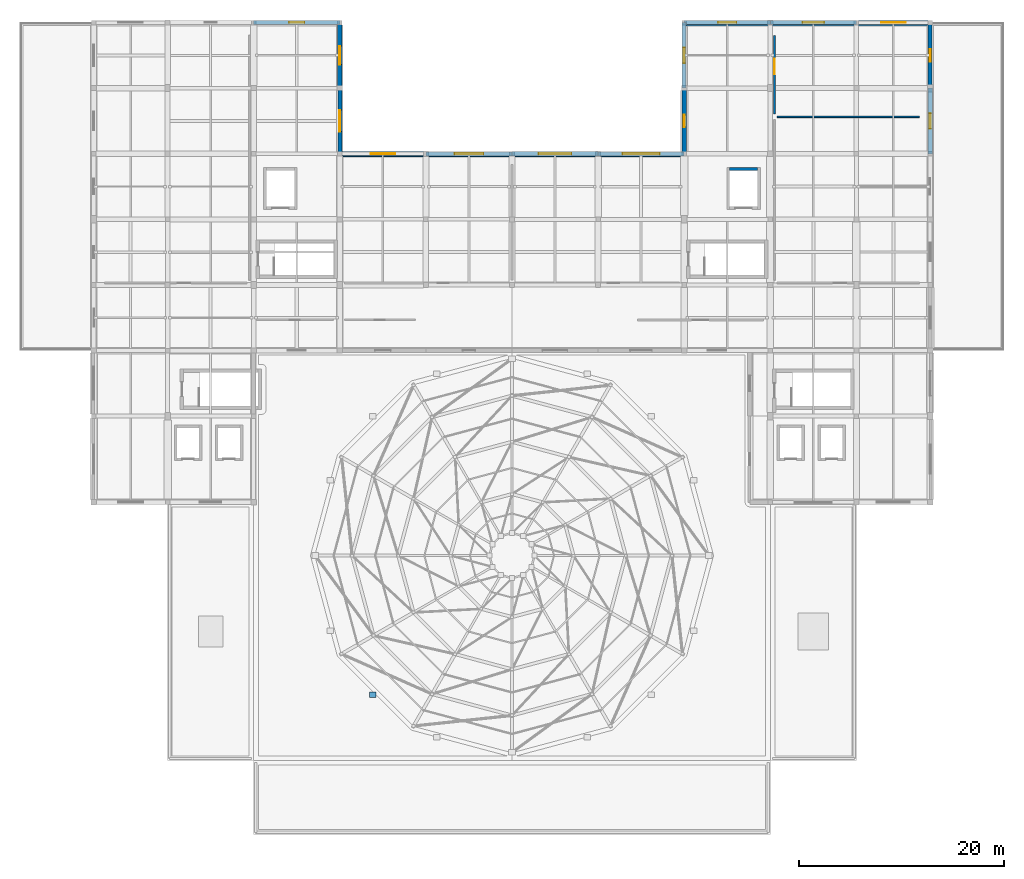
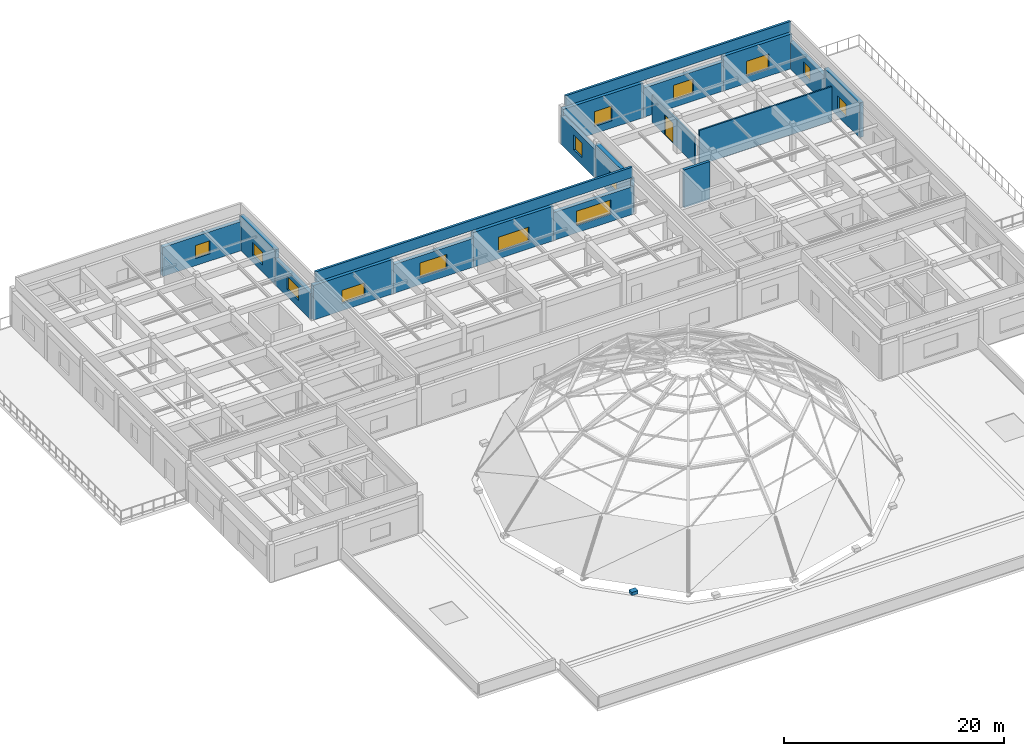
# One storey, part 14 of 18: 19 walls, 14 windows, 1 discrete accessory, 1 door, 15 openings.
"""IFC4 building model written with IfcOpenShell, lengths in metres."""

from ifc_helpers import new_model, si_unit, direction, frame, frame_2d, origin, origin_2d, place, context, subcontext, project, spatial, rectangle, extrude, material, layer, layer_set, type_object, element, fill, save


model = new_model("IFC4")

# Units and contexts
model_context = context("Model", 3, precision=1e-05, world=origin(), true_north=direction((0.0, 1.0)))
body_context = subcontext(model_context, "Body", "Model", "MODEL_VIEW")
ifc_project = project(units=[si_unit("LENGTHUNIT", "METRE"), si_unit("AREAUNIT", "SQUARE_METRE"), si_unit("VOLUMEUNIT", "CUBIC_METRE"), si_unit("PLANEANGLEUNIT", "RADIAN"), si_unit("MASSUNIT", "GRAM", prefix="KILO")], contexts=[model_context])

# Site, building, storey
site_placement = place(None, origin())
site = spatial("IfcSite", under=ifc_project, at=site_placement, CompositionType="ELEMENT")
building_placement = place(site_placement, origin())
building = spatial("IfcBuilding", under=site, at=building_placement, Name="Korsvaeld Concert Hall", CompositionType="ELEMENT")
storey_placement = place(building_placement, frame((0.0, 0.0, 17.39990234375)))
storey = spatial("IfcBuildingStorey", under=building, at=storey_placement, Name="L04", CompositionType="ELEMENT", Elevation=17.39990234375)

# Wall, opening, window
ifc_material_1 = material(Name="Obernkirchener buff sandstone rainscreen on Concrete C35/45", Category="masonry")
ifc_layer_1 = layer(ifc_material_1, 0.389892578125)
ifc_layer_set_1 = layer_set([ifc_layer_1], Name="Obernkirchener buff sandstone rainscreen on Concrete C35/45")
wall_type_1 = type_object("IfcWallType", Name="WL-EXT-BUFF-390", PredefinedType="STANDARD", material=ifc_layer_set_1)
wall_1_placement = place(storey_placement, frame((58.800048828125, 115.199951171875, 0.0), z_axis=(0.0, 0.0, 1.0), x_axis=(1.0, 0.0, 0.0)))
wall_1 = element("IfcWall", 1, at=wall_1_placement, inside=storey, type_object=wall_type_1, Name="Exterior sandstone wall L04-340", PredefinedType="STANDARD", context=body_context, shape_type="SweptSolid", body=[
    extrude(rectangle(XDim=8.39990234375, YDim=0.389892578125, at=frame_2d((4.199951171875, 0.0))), origin(), (0.0, 0.0, 1.0), 3.239990234375),
])
opening_1_placement = place(wall_1_placement, frame((3.449951171875, 0.0, 0.800048828125)))
opening_1 = element("IfcOpeningElement", 2, at=opening_1_placement, cuts=wall_1, Name="Opening WN-07", PredefinedType="OPENING", context=body_context, shape_type="SweptSolid", body=[
    extrude(rectangle(XDim=1.5, YDim=1.449951171875, at=frame_2d((0.75, 0.72509765625))), frame((0.0, 0.205078125, 0.0), z_axis=(0.0, -1.0, 0.0), x_axis=(1.0, 0.0, 0.0)), (0.0, 0.0, 1.0), 0.409912109375),
])
ifc_material_2 = material(Name="Anodised bronze frame with acoustic triple glazing", Category="glass")
window_type_1 = type_object("IfcWindowType", Name="WIN-AC-150x145", PartitioningType="SINGLE_PANEL", PredefinedType="WINDOW", material=ifc_material_2)
window_1_placement = place(opening_1_placement, origin())
window_1 = element("IfcWindow", 3, at=window_1_placement, inside=storey, type_object=window_type_1, Name="Acoustic triple-glazed window L04-228", OverallHeight=1.449951171875, OverallWidth=1.5, PartitioningType="SINGLE_PANEL", PredefinedType="WINDOW", context=body_context, shape_type="SweptSolid", body=[
    extrude(rectangle(XDim=1.5, YDim=1.449951171875, at=frame_2d((0.75, 0.72509765625))), frame((0.0, 0.030029296875, 0.0), z_axis=(0.0, -1.0, 0.0), x_axis=(1.0, 0.0, 0.0)), (0.0, 0.0, 1.0), 0.06005859375),
])
fill(opening_1, window_1)

wall_2_placement = place(storey_placement, frame((67.199951171875, 108.800048828125, 0.0), z_axis=(0.0, 0.0, 1.0), x_axis=(0.0, -1.0, 0.0)))
wall_2 = element("IfcWall", 4, at=wall_2_placement, inside=storey, type_object=wall_type_1, Name="Exterior sandstone wall L04-342", PredefinedType="STANDARD", context=body_context, shape_type="SweptSolid", body=[
    extrude(rectangle(XDim=6.400146484375, YDim=0.389892578125, at=frame_2d((3.2001953125, 0.0))), origin(), (0.0, 0.0, 1.0), 2.89013671875),
])
opening_2_placement = place(wall_2_placement, frame((2.14990234375, 0.0, 0.800048828125)))
opening_2 = element("IfcOpeningElement", 5, at=opening_2_placement, cuts=wall_2, Name="Opening WN-09", PredefinedType="OPENING", context=body_context, shape_type="SweptSolid", body=[
    extrude(rectangle(XDim=2.10009765625, YDim=1.449951171875, at=frame_2d((1.050048828125, 0.72509765625))), frame((0.0, 0.205078125, 0.0), z_axis=(0.0, -1.0, 0.0), x_axis=(1.0, 0.0, 0.0)), (0.0, 0.0, 1.0), 0.409912109375),
])
window_type_2 = type_object("IfcWindowType", Name="WIN-AC-210x145", PartitioningType="SINGLE_PANEL", PredefinedType="WINDOW", material=ifc_material_2)
window_2_placement = place(opening_2_placement, origin())
window_2 = element("IfcWindow", 6, at=window_2_placement, inside=storey, type_object=window_type_2, Name="Acoustic triple-glazed window L04-230", OverallHeight=1.449951171875, OverallWidth=2.10009765625, PartitioningType="SINGLE_PANEL", PredefinedType="WINDOW", context=body_context, shape_type="SweptSolid", body=[
    extrude(rectangle(XDim=2.10009765625, YDim=1.449951171875, at=frame_2d((1.050048828125, 0.72509765625))), frame((0.0, 0.030029296875, 0.0), z_axis=(0.0, -1.0, 0.0), x_axis=(1.0, 0.0, 0.0)), (0.0, 0.0, 1.0), 0.06005859375),
])
fill(opening_2, window_2)

wall_3_placement = place(storey_placement, frame((75.60009765625, 102.39990234375, 0.0), z_axis=(0.0, 0.0, 1.0), x_axis=(1.0, 0.0, 0.0)))
wall_3 = element("IfcWall", 7, at=wall_3_placement, inside=storey, type_object=wall_type_1, Name="Exterior sandstone wall L04-344", PredefinedType="STANDARD", context=body_context, shape_type="SweptSolid", body=[
    extrude(rectangle(XDim=8.39990234375, YDim=0.389892578125, at=frame_2d((4.199951171875, 0.0))), origin(), (0.0, 0.0, 1.0), 3.190185546875),
])
opening_3_placement = place(wall_3_placement, frame((2.800048828125, 0.0, 0.800048828125)))
opening_3 = element("IfcOpeningElement", 8, at=opening_3_placement, cuts=wall_3, Name="Opening WN-14", PredefinedType="OPENING", context=body_context, shape_type="SweptSolid", body=[
    extrude(rectangle(XDim=2.800048828125, YDim=1.60009765625, at=frame_2d((1.39990234375, 0.800048828125))), frame((0.0, 0.205078125, 0.0), z_axis=(0.0, -1.0, 0.0), x_axis=(1.0, 0.0, 0.0)), (0.0, 0.0, 1.0), 0.409912109375),
])
window_type_3 = type_object("IfcWindowType", Name="WIN-AC-280x160", PartitioningType="TRIPLE_PANEL_VERTICAL", PredefinedType="WINDOW", material=ifc_material_2)
window_3_placement = place(opening_3_placement, origin())
window_3 = element("IfcWindow", 9, at=window_3_placement, inside=storey, type_object=window_type_3, Name="Acoustic triple-glazed window L04-232", OverallHeight=1.60009765625, OverallWidth=2.800048828125, PartitioningType="TRIPLE_PANEL_VERTICAL", PredefinedType="WINDOW", context=body_context, shape_type="SweptSolid", body=[
    extrude(rectangle(XDim=2.800048828125, YDim=1.60009765625, at=frame_2d((1.39990234375, 0.800048828125))), frame((0.0, 0.030029296875, 0.0), z_axis=(0.0, -1.0, 0.0), x_axis=(1.0, 0.0, 0.0)), (0.0, 0.0, 1.0), 0.06005859375),
])
fill(opening_3, window_3)

wall_4_placement = place(storey_placement, frame((92.39990234375, 102.39990234375, 0.0), z_axis=(0.0, 0.0, 1.0), x_axis=(1.0, 0.0, 0.0)))
wall_4 = element("IfcWall", 10, at=wall_4_placement, inside=storey, type_object=wall_type_1, Name="Exterior sandstone wall L04-346", PredefinedType="STANDARD", context=body_context, shape_type="SweptSolid", body=[
    extrude(rectangle(XDim=8.400146484375, YDim=0.389892578125, at=frame_2d((4.2001953125, 0.0))), origin(), (0.0, 0.0, 1.0), 3.090087890625),
])
opening_4_placement = place(wall_4_placement, frame((2.39990234375, 0.0, 0.800048828125)))
opening_4 = element("IfcOpeningElement", 11, at=opening_4_placement, cuts=wall_4, Name="Opening WN-16", PredefinedType="OPENING", context=body_context, shape_type="SweptSolid", body=[
    extrude(rectangle(XDim=3.60009765625, YDim=1.60009765625, at=frame_2d((1.800048828125, 0.800048828125))), frame((0.0, 0.205078125, 0.0), z_axis=(0.0, -1.0, 0.0), x_axis=(1.0, 0.0, 0.0)), (0.0, 0.0, 1.0), 0.409912109375),
])
window_type_4 = type_object("IfcWindowType", Name="WIN-AC-360x160", PartitioningType="TRIPLE_PANEL_VERTICAL", PredefinedType="WINDOW", material=ifc_material_2)
window_4_placement = place(opening_4_placement, origin())
window_4 = element("IfcWindow", 12, at=window_4_placement, inside=storey, type_object=window_type_4, Name="Acoustic triple-glazed window L04-234", OverallHeight=1.60009765625, OverallWidth=3.60009765625, PartitioningType="TRIPLE_PANEL_VERTICAL", PredefinedType="WINDOW", context=body_context, shape_type="SweptSolid", body=[
    extrude(rectangle(XDim=3.60009765625, YDim=1.60009765625, at=frame_2d((1.800048828125, 0.800048828125))), frame((0.0, 0.030029296875, 0.0), z_axis=(0.0, -1.0, 0.0), x_axis=(1.0, 0.0, 0.0)), (0.0, 0.0, 1.0), 0.06005859375),
])
fill(opening_4, window_4)

wall_5_placement = place(storey_placement, frame((100.800048828125, 108.800048828125, 0.0), z_axis=(0.0, 0.0, 1.0), x_axis=(0.0, 1.0, 0.0)))
wall_5 = element("IfcWall", 13, at=wall_5_placement, inside=storey, type_object=wall_type_1, Name="Exterior sandstone wall L04-348", PredefinedType="STANDARD", context=body_context, shape_type="SweptSolid", body=[
    extrude(rectangle(XDim=6.39990234375, YDim=0.389892578125, at=frame_2d((3.199951171875, 0.0))), origin(), (0.0, 0.0, 1.0), 3.14013671875),
])
opening_5_placement = place(wall_5_placement, frame((2.449951171875, 0.0, 0.800048828125)))
opening_5 = element("IfcOpeningElement", 14, at=opening_5_placement, cuts=wall_5, Name="Opening WN-02", PredefinedType="OPENING", context=body_context, shape_type="SweptSolid", body=[
    extrude(rectangle(XDim=1.5, YDim=1.64990234375, at=frame_2d((0.75, 0.824951171875))), frame((0.0, 0.205078125, 0.0), z_axis=(0.0, -1.0, 0.0), x_axis=(1.0, 0.0, 0.0)), (0.0, 0.0, 1.0), 0.409912109375),
])
window_type_5 = type_object("IfcWindowType", Name="WIN-AC-150x165", PartitioningType="SINGLE_PANEL", PredefinedType="WINDOW", material=ifc_material_2)
window_5_placement = place(opening_5_placement, origin())
window_5 = element("IfcWindow", 15, at=window_5_placement, inside=storey, type_object=window_type_5, Name="Acoustic triple-glazed window L04-236", OverallHeight=1.64990234375, OverallWidth=1.5, PartitioningType="SINGLE_PANEL", PredefinedType="WINDOW", context=body_context, shape_type="SweptSolid", body=[
    extrude(rectangle(XDim=1.5, YDim=1.64990234375, at=frame_2d((0.75, 0.824951171875))), frame((0.0, 0.030029296875, 0.0), z_axis=(0.0, -1.0, 0.0), x_axis=(1.0, 0.0, 0.0)), (0.0, 0.0, 1.0), 0.06005859375),
])
fill(opening_5, window_5)

wall_6_placement = place(storey_placement, frame((109.199951171875, 115.199951171875, 0.0), z_axis=(0.0, 0.0, 1.0), x_axis=(1.0, 0.0, 0.0)))
wall_6 = element("IfcWall", 16, at=wall_6_placement, inside=storey, type_object=wall_type_1, Name="Exterior sandstone wall L04-350", PredefinedType="STANDARD", context=body_context, shape_type="SweptSolid", body=[
    extrude(rectangle(XDim=8.400146484375, YDim=0.389892578125, at=frame_2d((4.2001953125, 0.0))), origin(), (0.0, 0.0, 1.0), 3.239990234375),
])
opening_6_placement = place(wall_6_placement, frame((3.14990234375, 0.0, 0.800048828125)))
opening_6 = element("IfcOpeningElement", 17, at=opening_6_placement, cuts=wall_6, Name="Opening WN-04", PredefinedType="OPENING", context=body_context, shape_type="SweptSolid", body=[
    extrude(rectangle(XDim=2.10009765625, YDim=1.64990234375, at=frame_2d((1.050048828125, 0.824951171875))), frame((0.0, 0.205078125, 0.0), z_axis=(0.0, -1.0, 0.0), x_axis=(1.0, 0.0, 0.0)), (0.0, 0.0, 1.0), 0.409912109375),
])
window_type_6 = type_object("IfcWindowType", Name="WIN-AC-210x165", PartitioningType="SINGLE_PANEL", PredefinedType="WINDOW", material=ifc_material_2)
window_6_placement = place(opening_6_placement, origin())
window_6 = element("IfcWindow", 18, at=window_6_placement, inside=storey, type_object=window_type_6, Name="Acoustic triple-glazed window L04-238", OverallHeight=1.64990234375, OverallWidth=2.10009765625, PartitioningType="SINGLE_PANEL", PredefinedType="WINDOW", context=body_context, shape_type="SweptSolid", body=[
    extrude(rectangle(XDim=2.10009765625, YDim=1.64990234375, at=frame_2d((1.050048828125, 0.824951171875))), frame((0.0, 0.030029296875, 0.0), z_axis=(0.0, -1.0, 0.0), x_axis=(1.0, 0.0, 0.0)), (0.0, 0.0, 1.0), 0.06005859375),
])
fill(opening_6, window_6)

wall_7_placement = place(storey_placement, frame((124.800048828125, 115.199951171875, 0.0), z_axis=(0.0, 0.0, 1.0), x_axis=(0.0, -1.0, 0.0)))
wall_7 = element("IfcWall", 19, at=wall_7_placement, inside=storey, type_object=wall_type_1, Name="Exterior sandstone wall L04-352", PredefinedType="STANDARD", context=body_context, shape_type="SweptSolid", body=[
    extrude(rectangle(XDim=6.39990234375, YDim=0.389892578125, at=frame_2d((3.199951171875, 0.0))), origin(), (0.0, 0.0, 1.0), 2.989990234375),
])
opening_7_placement = place(wall_7_placement, frame((2.60009765625, 0.0, 0.800048828125)))
opening_7 = element("IfcOpeningElement", 20, at=opening_7_placement, cuts=wall_7, Name="Opening WN-06", PredefinedType="OPENING", context=body_context, shape_type="SweptSolid", body=[
    extrude(rectangle(XDim=1.199951171875, YDim=1.449951171875, at=frame_2d((0.60009765625, 0.72509765625))), frame((0.0, 0.205078125, 0.0), z_axis=(0.0, -1.0, 0.0), x_axis=(1.0, 0.0, 0.0)), (0.0, 0.0, 1.0), 0.409912109375),
])
window_type_7 = type_object("IfcWindowType", Name="WIN-AC-120x145", PartitioningType="SINGLE_PANEL", PredefinedType="WINDOW", material=ifc_material_2)
window_7_placement = place(opening_7_placement, origin())
window_7 = element("IfcWindow", 21, at=window_7_placement, inside=storey, type_object=window_type_7, Name="Acoustic triple-glazed window L04-240", OverallHeight=1.449951171875, OverallWidth=1.199951171875, PartitioningType="SINGLE_PANEL", PredefinedType="WINDOW", context=body_context, shape_type="SweptSolid", body=[
    extrude(rectangle(XDim=1.199951171875, YDim=1.449951171875, at=frame_2d((0.60009765625, 0.72509765625))), frame((0.0, 0.030029296875, 0.0), z_axis=(0.0, -1.0, 0.0), x_axis=(1.0, 0.0, 0.0)), (0.0, 0.0, 1.0), 0.06005859375),
])
fill(opening_7, window_7)

ifc_material_3 = material(Name="Bornholm Nexo rose-red sandstone rainscreen on Concrete C35/45", Category="masonry")
ifc_layer_2 = layer(ifc_material_3, 0.419921875)
ifc_layer_set_2 = layer_set([ifc_layer_2], Name="Bornholm Nexo rose-red sandstone rainscreen on Concrete C35/45")
wall_type_2 = type_object("IfcWallType", Name="WL-EXT-NEXO-420", PredefinedType="STANDARD", material=ifc_layer_set_2)
wall_8_placement = place(storey_placement, frame((67.199951171875, 115.199951171875, 0.0), z_axis=(0.0, 0.0, 1.0), x_axis=(0.0, -1.0, 0.0)))
wall_8 = element("IfcWall", 22, at=wall_8_placement, inside=storey, type_object=wall_type_2, Name="Exterior sandstone wall L04-341", PredefinedType="STANDARD", context=body_context, shape_type="SweptSolid", body=[
    extrude(rectangle(XDim=6.39990234375, YDim=0.419921875, at=frame_2d((3.199951171875, 0.0))), origin(), (0.0, 0.0, 1.0), 3.840087890625),
])
opening_8_placement = place(wall_8_placement, frame((2.300048828125, 0.0, 0.800048828125)))
opening_8 = element("IfcOpeningElement", 23, at=opening_8_placement, cuts=wall_8, Name="Opening WN-08", PredefinedType="OPENING", context=body_context, shape_type="SweptSolid", body=[
    extrude(rectangle(XDim=1.800048828125, YDim=1.449951171875, at=frame_2d((0.89990234375, 0.72509765625))), frame((0.0, 0.219970703125, 0.0), z_axis=(0.0, -1.0, 0.0), x_axis=(1.0, 0.0, 0.0)), (0.0, 0.0, 1.0), 0.43994140625),
])
window_type_8 = type_object("IfcWindowType", Name="WIN-AC-180x145", PartitioningType="SINGLE_PANEL", PredefinedType="WINDOW", material=ifc_material_2)
window_8_placement = place(opening_8_placement, origin())
window_8 = element("IfcWindow", 24, at=window_8_placement, inside=storey, type_object=window_type_8, Name="Acoustic triple-glazed window L04-229", OverallHeight=1.449951171875, OverallWidth=1.800048828125, PartitioningType="SINGLE_PANEL", PredefinedType="WINDOW", context=body_context, shape_type="SweptSolid", body=[
    extrude(rectangle(XDim=1.800048828125, YDim=1.449951171875, at=frame_2d((0.89990234375, 0.72509765625))), frame((0.0, 0.030029296875, 0.0), z_axis=(0.0, -1.0, 0.0), x_axis=(1.0, 0.0, 0.0)), (0.0, 0.0, 1.0), 0.06005859375),
])
fill(opening_8, window_8)

wall_9_placement = place(storey_placement, frame((67.199951171875, 102.39990234375, 0.0), z_axis=(0.0, 0.0, 1.0), x_axis=(1.0, 0.0, 0.0)))
wall_9 = element("IfcWall", 25, at=wall_9_placement, inside=storey, type_object=wall_type_2, Name="Exterior sandstone wall L04-343", PredefinedType="STANDARD", context=body_context, shape_type="SweptSolid", body=[
    extrude(rectangle(XDim=8.400146484375, YDim=0.419921875, at=frame_2d((4.2001953125, 0.0))), origin(), (0.0, 0.0, 1.0), 3.840087890625),
])
opening_9_placement = place(wall_9_placement, frame((3.0, 0.0, 0.800048828125)))
opening_9 = element("IfcOpeningElement", 26, at=opening_9_placement, cuts=wall_9, Name="Opening WN-10", PredefinedType="OPENING", context=body_context, shape_type="SweptSolid", body=[
    extrude(rectangle(XDim=2.39990234375, YDim=1.449951171875, at=frame_2d((1.199951171875, 0.72509765625))), frame((0.0, 0.219970703125, 0.0), z_axis=(0.0, -1.0, 0.0), x_axis=(1.0, 0.0, 0.0)), (0.0, 0.0, 1.0), 0.43994140625),
])
window_type_9 = type_object("IfcWindowType", Name="WIN-AC-240x145", PartitioningType="TRIPLE_PANEL_VERTICAL", PredefinedType="WINDOW", material=ifc_material_2)
window_9_placement = place(opening_9_placement, origin())
window_9 = element("IfcWindow", 27, at=window_9_placement, inside=storey, type_object=window_type_9, Name="Acoustic triple-glazed window L04-231", OverallHeight=1.449951171875, OverallWidth=2.39990234375, PartitioningType="TRIPLE_PANEL_VERTICAL", PredefinedType="WINDOW", context=body_context, shape_type="SweptSolid", body=[
    extrude(rectangle(XDim=2.39990234375, YDim=1.449951171875, at=frame_2d((1.199951171875, 0.72509765625))), frame((0.0, 0.030029296875, 0.0), z_axis=(0.0, -1.0, 0.0), x_axis=(1.0, 0.0, 0.0)), (0.0, 0.0, 1.0), 0.06005859375),
])
fill(opening_9, window_9)

wall_10_placement = place(storey_placement, frame((84.0, 102.39990234375, 0.0), z_axis=(0.0, 0.0, 1.0), x_axis=(1.0, 0.0, 0.0)))
wall_10 = element("IfcWall", 28, at=wall_10_placement, inside=storey, type_object=wall_type_2, Name="Exterior sandstone wall L04-345", PredefinedType="STANDARD", context=body_context, shape_type="SweptSolid", body=[
    extrude(rectangle(XDim=8.39990234375, YDim=0.419921875, at=frame_2d((4.199951171875, 0.0))), origin(), (0.0, 0.0, 1.0), 3.840087890625),
])
opening_10_placement = place(wall_10_placement, frame((2.60009765625, 0.0, 0.800048828125)))
opening_10 = element("IfcOpeningElement", 29, at=opening_10_placement, cuts=wall_10, Name="Opening WN-15", PredefinedType="OPENING", context=body_context, shape_type="SweptSolid", body=[
    extrude(rectangle(XDim=3.199951171875, YDim=1.60009765625, at=frame_2d((1.60009765625, 0.800048828125))), frame((0.0, 0.219970703125, 0.0), z_axis=(0.0, -1.0, 0.0), x_axis=(1.0, 0.0, 0.0)), (0.0, 0.0, 1.0), 0.43994140625),
])
window_type_10 = type_object("IfcWindowType", Name="WIN-AC-320x160", PartitioningType="TRIPLE_PANEL_VERTICAL", PredefinedType="WINDOW", material=ifc_material_2)
window_10_placement = place(opening_10_placement, origin())
window_10 = element("IfcWindow", 30, at=window_10_placement, inside=storey, type_object=window_type_10, Name="Acoustic triple-glazed window L04-233", OverallHeight=1.60009765625, OverallWidth=3.199951171875, PartitioningType="TRIPLE_PANEL_VERTICAL", PredefinedType="WINDOW", context=body_context, shape_type="SweptSolid", body=[
    extrude(rectangle(XDim=3.199951171875, YDim=1.60009765625, at=frame_2d((1.60009765625, 0.800048828125))), frame((0.0, 0.030029296875, 0.0), z_axis=(0.0, -1.0, 0.0), x_axis=(1.0, 0.0, 0.0)), (0.0, 0.0, 1.0), 0.06005859375),
])
fill(opening_10, window_10)

wall_11_placement = place(storey_placement, frame((100.800048828125, 102.39990234375, 0.0), z_axis=(0.0, 0.0, 1.0), x_axis=(0.0, 1.0, 0.0)))
wall_11 = element("IfcWall", 31, at=wall_11_placement, inside=storey, type_object=wall_type_2, Name="Exterior sandstone wall L04-347", PredefinedType="STANDARD", context=body_context, shape_type="SweptSolid", body=[
    extrude(rectangle(XDim=6.400146484375, YDim=0.419921875, at=frame_2d((3.2001953125, 0.0))), origin(), (0.0, 0.0, 1.0), 3.840087890625),
])
opening_11_placement = place(wall_11_placement, frame((2.60009765625, 0.0, 0.800048828125)))
opening_11 = element("IfcOpeningElement", 32, at=opening_11_placement, cuts=wall_11, Name="Opening WN-01", PredefinedType="OPENING", context=body_context, shape_type="SweptSolid", body=[
    extrude(rectangle(XDim=1.199951171875, YDim=1.64990234375, at=frame_2d((0.60009765625, 0.824951171875))), frame((0.0, 0.219970703125, 0.0), z_axis=(0.0, -1.0, 0.0), x_axis=(1.0, 0.0, 0.0)), (0.0, 0.0, 1.0), 0.43994140625),
])
window_type_11 = type_object("IfcWindowType", Name="WIN-AC-120x165", PartitioningType="SINGLE_PANEL", PredefinedType="WINDOW", material=ifc_material_2)
window_11_placement = place(opening_11_placement, origin())
window_11 = element("IfcWindow", 33, at=window_11_placement, inside=storey, type_object=window_type_11, Name="Acoustic triple-glazed window L04-235", OverallHeight=1.64990234375, OverallWidth=1.199951171875, PartitioningType="SINGLE_PANEL", PredefinedType="WINDOW", context=body_context, shape_type="SweptSolid", body=[
    extrude(rectangle(XDim=1.199951171875, YDim=1.64990234375, at=frame_2d((0.60009765625, 0.824951171875))), frame((0.0, 0.030029296875, 0.0), z_axis=(0.0, -1.0, 0.0), x_axis=(1.0, 0.0, 0.0)), (0.0, 0.0, 1.0), 0.06005859375),
])
fill(opening_11, window_11)

wall_12_placement = place(storey_placement, frame((100.800048828125, 115.199951171875, 0.0), z_axis=(0.0, 0.0, 1.0), x_axis=(1.0, 0.0, 0.0)))
wall_12 = element("IfcWall", 34, at=wall_12_placement, inside=storey, type_object=wall_type_2, Name="Exterior sandstone wall L04-349", PredefinedType="STANDARD", context=body_context, shape_type="SweptSolid", body=[
    extrude(rectangle(XDim=8.39990234375, YDim=0.419921875, at=frame_2d((4.199951171875, 0.0))), origin(), (0.0, 0.0, 1.0), 3.840087890625),
])
opening_12_placement = place(wall_12_placement, frame((3.300048828125, 0.0, 0.800048828125)))
opening_12 = element("IfcOpeningElement", 35, at=opening_12_placement, cuts=wall_12, Name="Opening WN-03", PredefinedType="OPENING", context=body_context, shape_type="SweptSolid", body=[
    extrude(rectangle(XDim=1.800048828125, YDim=1.64990234375, at=frame_2d((0.89990234375, 0.824951171875))), frame((0.0, 0.219970703125, 0.0), z_axis=(0.0, -1.0, 0.0), x_axis=(1.0, 0.0, 0.0)), (0.0, 0.0, 1.0), 0.43994140625),
])
window_type_12 = type_object("IfcWindowType", Name="WIN-AC-180x165", PartitioningType="SINGLE_PANEL", PredefinedType="WINDOW", material=ifc_material_2)
window_12_placement = place(opening_12_placement, origin())
window_12 = element("IfcWindow", 36, at=window_12_placement, inside=storey, type_object=window_type_12, Name="Acoustic triple-glazed window L04-237", OverallHeight=1.64990234375, OverallWidth=1.800048828125, PartitioningType="SINGLE_PANEL", PredefinedType="WINDOW", context=body_context, shape_type="SweptSolid", body=[
    extrude(rectangle(XDim=1.800048828125, YDim=1.64990234375, at=frame_2d((0.89990234375, 0.824951171875))), frame((0.0, 0.030029296875, 0.0), z_axis=(0.0, -1.0, 0.0), x_axis=(1.0, 0.0, 0.0)), (0.0, 0.0, 1.0), 0.06005859375),
])
fill(opening_12, window_12)

wall_13_placement = place(storey_placement, frame((117.60009765625, 115.199951171875, 0.0), z_axis=(0.0, 0.0, 1.0), x_axis=(1.0, 0.0, 0.0)))
wall_13 = element("IfcWall", 37, at=wall_13_placement, inside=storey, type_object=wall_type_2, Name="Exterior sandstone wall L04-351", PredefinedType="STANDARD", context=body_context, shape_type="SweptSolid", body=[
    extrude(rectangle(XDim=7.199951171875, YDim=0.419921875, at=frame_2d((3.60009765625, 0.0))), origin(), (0.0, 0.0, 1.0), 3.840087890625),
])
opening_13_placement = place(wall_13_placement, frame((2.39990234375, 0.0, 0.800048828125)))
opening_13 = element("IfcOpeningElement", 38, at=opening_13_placement, cuts=wall_13, Name="Opening WN-05", PredefinedType="OPENING", context=body_context, shape_type="SweptSolid", body=[
    extrude(rectangle(XDim=2.39990234375, YDim=1.64990234375, at=frame_2d((1.199951171875, 0.824951171875))), frame((0.0, 0.219970703125, 0.0), z_axis=(0.0, -1.0, 0.0), x_axis=(1.0, 0.0, 0.0)), (0.0, 0.0, 1.0), 0.43994140625),
])
window_type_13 = type_object("IfcWindowType", Name="WIN-AC-240x165", PartitioningType="TRIPLE_PANEL_VERTICAL", PredefinedType="WINDOW", material=ifc_material_2)
window_13_placement = place(opening_13_placement, origin())
window_13 = element("IfcWindow", 39, at=window_13_placement, inside=storey, type_object=window_type_13, Name="Acoustic triple-glazed window L04-239", OverallHeight=1.64990234375, OverallWidth=2.39990234375, PartitioningType="TRIPLE_PANEL_VERTICAL", PredefinedType="WINDOW", context=body_context, shape_type="SweptSolid", body=[
    extrude(rectangle(XDim=2.39990234375, YDim=1.64990234375, at=frame_2d((1.199951171875, 0.824951171875))), frame((0.0, 0.030029296875, 0.0), z_axis=(0.0, -1.0, 0.0), x_axis=(1.0, 0.0, 0.0)), (0.0, 0.0, 1.0), 0.06005859375),
])
fill(opening_13, window_13)

wall_14_placement = place(storey_placement, frame((124.800048828125, 108.800048828125, 0.0), z_axis=(0.0, 0.0, 1.0), x_axis=(0.0, -1.0, 0.0)))
wall_14 = element("IfcWall", 40, at=wall_14_placement, inside=storey, type_object=wall_type_2, Name="Exterior sandstone wall L04-353", PredefinedType="STANDARD", context=body_context, shape_type="SweptSolid", body=[
    extrude(rectangle(XDim=6.400146484375, YDim=0.419921875, at=frame_2d((3.2001953125, 0.0))), origin(), (0.0, 0.0, 1.0), 3.840087890625),
])
opening_14_placement = place(wall_14_placement, frame((2.449951171875, 0.0, 0.800048828125)))
opening_14 = element("IfcOpeningElement", 41, at=opening_14_placement, cuts=wall_14, Name="Opening WN-07", PredefinedType="OPENING", context=body_context, shape_type="SweptSolid", body=[
    extrude(rectangle(XDim=1.5, YDim=1.449951171875, at=frame_2d((0.75, 0.72509765625))), frame((0.0, 0.219970703125, 0.0), z_axis=(0.0, -1.0, 0.0), x_axis=(1.0, 0.0, 0.0)), (0.0, 0.0, 1.0), 0.43994140625),
])
window_14_placement = place(opening_14_placement, origin())
window_14 = element("IfcWindow", 42, at=window_14_placement, inside=storey, type_object=window_type_1, Name="Acoustic triple-glazed window L04-241", OverallHeight=1.449951171875, OverallWidth=1.5, PartitioningType="SINGLE_PANEL", PredefinedType="WINDOW", context=body_context, shape_type="SweptSolid", body=[
    extrude(rectangle(XDim=1.5, YDim=1.449951171875, at=frame_2d((0.75, 0.72509765625))), frame((0.0, 0.030029296875, 0.0), z_axis=(0.0, -1.0, 0.0), x_axis=(1.0, 0.0, 0.0)), (0.0, 0.0, 1.0), 0.06005859375),
])
fill(opening_14, window_14)

# Wall, opening, door
ifc_material_4 = material(Name="Double acoustic gypsum fire compartment wall")
ifc_layer_3 = layer(ifc_material_4, 0.199951171875)
ifc_layer_set_3 = layer_set([ifc_layer_3], Name="Double acoustic gypsum fire compartment wall")
wall_type_3 = type_object("IfcWallType", Name="WL-FIRE-200", PredefinedType="PARTITIONING", material=ifc_layer_set_3)
wall_15_placement = place(storey_placement, frame((109.60009765625, 113.93994140625, 0.0), z_axis=(0.0, 0.0, 1.0), x_axis=(0.0, -1.0, 0.0)))
wall_15 = element("IfcWall", 43, at=wall_15_placement, inside=storey, type_object=wall_type_3, Name="Interior partition L04-06B W", PredefinedType="PARTITIONING", context=body_context, shape_type="SweptSolid", body=[
    extrude(rectangle(XDim=7.679931640625, YDim=0.199951171875, at=frame_2d((3.83984375, 0.0))), origin(), (0.0, 0.0, 1.0), 3.01513671875),
])
opening_15_placement = place(wall_15_placement, frame((2.2900390625, 0.0, 0.0)))
opening_15 = element("IfcOpeningElement", 44, at=opening_15_placement, cuts=wall_15, Name="Opening FD-07", PredefinedType="OPENING", context=body_context, shape_type="SweptSolid", body=[
    extrude(rectangle(XDim=1.5, YDim=2.199951171875, at=frame_2d((0.75, 1.10009765625))), frame((0.0, 0.10986328125, 0.0), z_axis=(0.0, -1.0, 0.0), x_axis=(1.0, 0.0, 0.0)), (0.0, 0.0, 1.0), 0.219970703125),
])
ifc_material_5 = material(Name="Acoustic steel plant fire door", Category="steel")
door_type = type_object("IfcDoorType", Name="DR-FD-PLANT-150x220", OperationType="DOUBLE_DOOR_SINGLE_SWING", PredefinedType="DOOR", material=ifc_material_5)
door_placement = place(opening_15_placement, origin())
door = element("IfcDoor", 45, at=door_placement, inside=storey, type_object=door_type, Name="Upper Acoustic Air-Handling Plant Room door L04-06B", OperationType="DOUBLE_DOOR_SINGLE_SWING", OverallHeight=2.199951171875, OverallWidth=1.5, PredefinedType="DOOR", context=body_context, shape_type="SweptSolid", body=[
    extrude(rectangle(XDim=1.5, YDim=2.199951171875, at=frame_2d((0.75, 1.10009765625))), frame((0.0, 0.02490234375, 0.0), z_axis=(0.0, -1.0, 0.0), x_axis=(1.0, 0.0, 0.0)), (0.0, 0.0, 1.0), 0.050048828125),
])
fill(opening_15, door)

# Walls
ifc_material_6 = material(Name="Bornholm Nexo sandstone parapet on Concrete C35/45", Category="masonry")
ifc_layer_4 = layer(ifc_material_6, 0.239990234375)
ifc_layer_set_4 = layer_set([ifc_layer_4], Name="Bornholm Nexo sandstone parapet on Concrete C35/45")
wall_type_4 = type_object("IfcWallType", Name="WL-PARAPET-240", PredefinedType="PARAPET", material=ifc_layer_set_4)
wall_16_placement = place(storey_placement, frame((100.60009765625, 102.199951171875, 4.2001953125), z_axis=(0.0, 0.0, 1.0), x_axis=(-1.0, 0.0, 0.0)))
element("IfcWall", 46, at=wall_16_placement, inside=storey, type_object=wall_type_4, Name="Roof parapet SLB-ROOF_TOP_V5C-3", PredefinedType="PARAPET", context=body_context, shape_type="SweptSolid", body=[
    extrude(rectangle(XDim=33.2001953125, YDim=0.239990234375, at=frame_2d((16.60009765625, 0.0))), origin(), (0.0, 0.0, 1.0), 1.14990234375),
])
wall_17_placement = place(storey_placement, frame((124.60009765625, 115.0, 4.2001953125), z_axis=(0.0, 0.0, 1.0), x_axis=(-1.0, 0.0, 0.0)))
element("IfcWall", 47, at=wall_17_placement, inside=storey, type_object=wall_type_4, Name="Roof parapet SLB-ROOF_TOP_V5E-3", PredefinedType="PARAPET", context=body_context, shape_type="SweptSolid", body=[
    extrude(rectangle(XDim=23.60009765625, YDim=0.239990234375, at=frame_2d((11.800048828125, 0.0))), origin(), (0.0, 0.0, 1.0), 1.14990234375),
])
ifc_material_7 = material(Name="Double-stud acoustic rehearsal partition")
ifc_layer_5 = layer(ifc_material_7, 0.159912109375)
ifc_layer_set_5 = layer_set([ifc_layer_5], Name="Double-stud acoustic rehearsal partition")
wall_type_5 = type_object("IfcWallType", Name="WL-PART-160", PredefinedType="PARTITIONING", material=ifc_layer_set_5)
wall_18_placement = place(storey_placement, frame((123.739990234375, 106.0, 0.0), z_axis=(0.0, 0.0, 1.0), x_axis=(-1.0, 0.0, 0.0)))
element("IfcWall", 48, at=wall_18_placement, inside=storey, type_object=wall_type_5, Name="Interior partition L04-06 N", PredefinedType="PARTITIONING", context=body_context, shape_type="SweptSolid", body=[
    extrude(rectangle(XDim=13.8798828125, YDim=0.159912109375, at=frame_2d((6.93994140625, 0.0))), origin(), (0.0, 0.0, 1.0), 3.840087890625),
])
ifc_material_8 = material(Name="Concrete C40/50", Category="concrete")
ifc_layer_6 = layer(ifc_material_8, 0.280029296875)
ifc_layer_set_6 = layer_set([ifc_layer_6], Name="Concrete C40/50")
wall_type_6 = type_object("IfcWallType", Name="WL-SHAFT-280", PredefinedType="SHEAR", material=ifc_layer_set_6)
wall_19_placement = place(storey_placement, frame((107.9599609375, 100.89990234375, 0.0), z_axis=(0.0, 0.0, 1.0), x_axis=(-1.0, 0.0, 0.0)))
element("IfcWall", 49, at=wall_19_placement, inside=storey, type_object=wall_type_6, Name="Lift LG-02 shaft wall L04 N", PredefinedType="SHEAR", context=body_context, shape_type="SweptSolid", body=[
    extrude(rectangle(XDim=2.719970703125, YDim=0.280029296875, at=frame_2d((1.35986328125, 0.0))), origin(), (0.0, 0.0, 1.0), 4.2001953125),
])

# Discrete accessory
ifc_material_9 = material(Name="Steel S355J2", Category="steel")
discrete_accessory_type = type_object("IfcDiscreteAccessoryType", Name="ACC-SHOE-RING", PredefinedType="SHOE", material=ifc_material_9)
discrete_accessory_placement = place(storey_placement, frame((70.423583984375, 49.62353515625, 0.47509765625), z_axis=(0.0, 0.0, 1.0), x_axis=(1.0, 0.0, 0.0)))
element("IfcDiscreteAccessory", 50, at=discrete_accessory_placement, inside=storey, type_object=discrete_accessory_type, Name="Dome ring bearing shoe ND-RING1-11", PredefinedType="SHOE", context=body_context, shape_type="SweptSolid", body=[
    extrude(rectangle(XDim=0.64990234375, YDim=0.550048828125, at=origin_2d()), origin(), (0.0, 0.0, 1.0), 0.35009765625),
])

save(model, "model.ifc")
